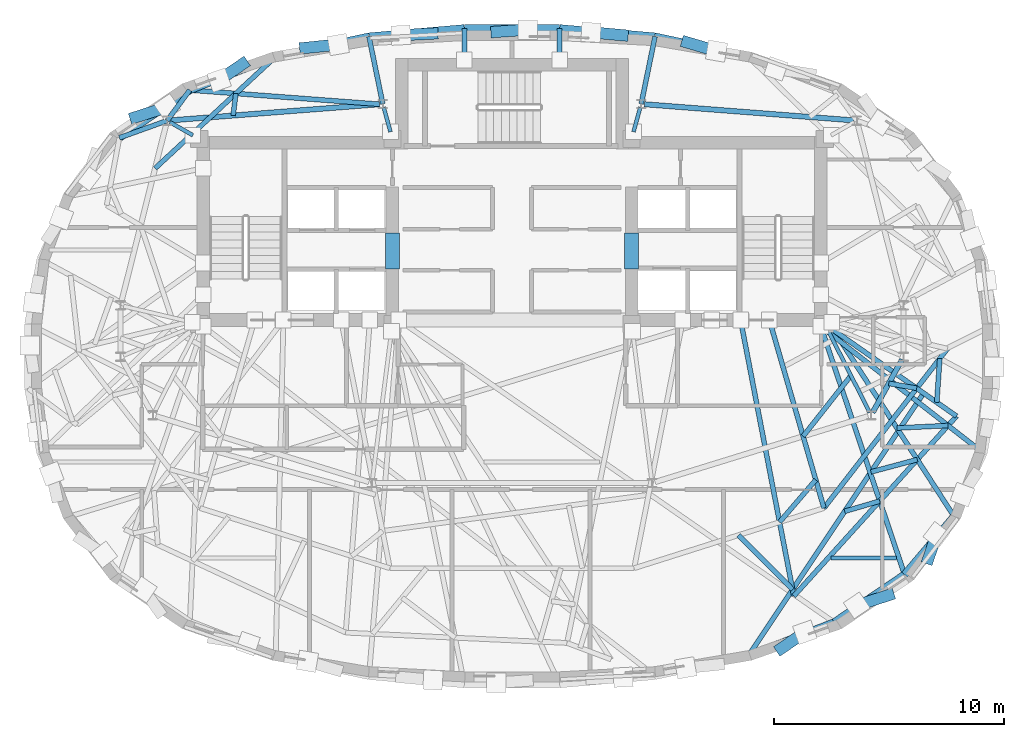
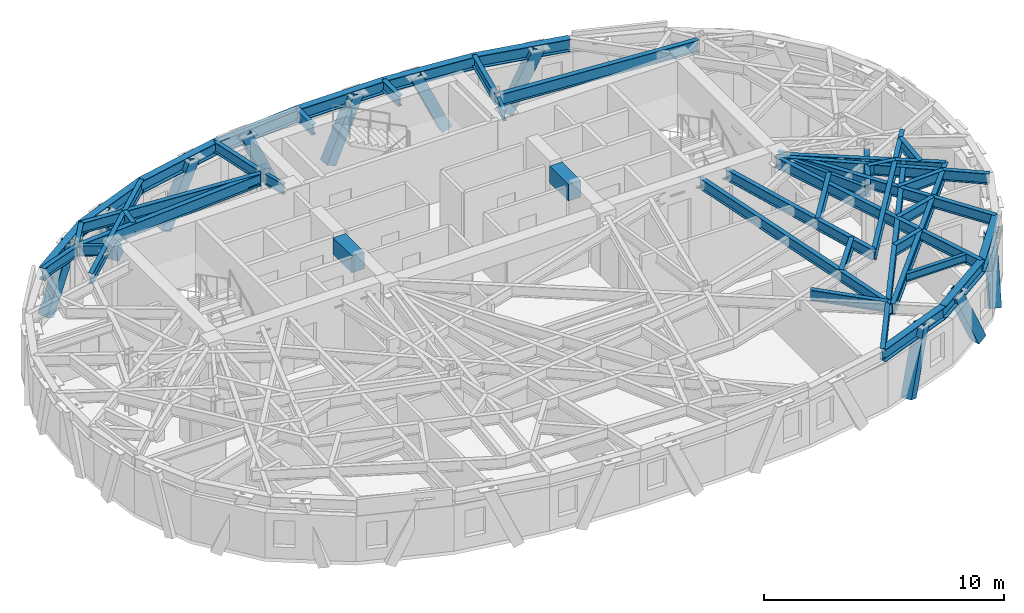
# One storey, part 3 of 12: 46 beams, 10 members.
"""IFC4 building model written with IfcOpenShell, lengths in metres."""

from ifc_helpers import new_model, si_unit, direction, frame, origin, origin_2d, place, context, subcontext, project, spatial, rectangle, hollow_rectangle, i_section, extrude, material, material_profile, profile_set, type_object, element, save


model = new_model("IFC4")

# Units and contexts
model_context = context("Model", 3, precision=1e-05, world=origin(), true_north=direction((0.0, 1.0)))
body_context = subcontext(model_context, "Body", "Model", "MODEL_VIEW")
ifc_project = project(units=[si_unit("LENGTHUNIT", "METRE"), si_unit("AREAUNIT", "SQUARE_METRE"), si_unit("VOLUMEUNIT", "CUBIC_METRE"), si_unit("PLANEANGLEUNIT", "RADIAN"), si_unit("MASSUNIT", "GRAM", prefix="KILO")], contexts=[model_context])

# Site, building, storey
site_placement = place(None, origin())
site = spatial("IfcSite", under=ifc_project, at=site_placement, CompositionType="ELEMENT")
building_placement = place(site_placement, origin())
building = spatial("IfcBuilding", under=site, at=building_placement, Name="Keldmark Tower", CompositionType="ELEMENT")
storey_placement = place(building_placement, frame((0.0, 0.0, 257.25)))
storey = spatial("IfcBuildingStorey", under=building, at=storey_placement, Name="L73", CompositionType="ELEMENT", Elevation=257.25)

# Beams
ifc_material_1 = material(Name="Steel ASTM A992 Grade 50", Category="steel")
ifc_material_profile_1 = material_profile(ifc_material_1, i_section(OverallWidth=0.177978515625, OverallDepth=0.403076171875, WebThickness=0.007568359375, FlangeThickness=0.010986328125, at=origin_2d()), Name="W16X36")
ifc_profile_set_1 = profile_set([ifc_material_profile_1], Name="Steel ASTM A992 Grade 50")
beam_type_1 = type_object("IfcBeamType", Name="Composite Floor Joist W16X36", PredefinedType="JOIST", material=ifc_profile_set_1)
beam_1_placement = place(storey_placement, frame((13.876953125, -8.780029296875, 2.728515625), z_axis=(1.0, 0.0, 0.0), x_axis=(0.0, 1.0, 0.0)))
element("IfcBeam", 1, at=beam_1_placement, inside=storey, type_object=beam_type_1, Name="L73 Composite Floor Joist J02", PredefinedType="JOIST", context=body_context, shape_type="SweptSolid", body=[
    extrude(i_section(OverallWidth=0.177978515625, OverallDepth=0.403076171875, WebThickness=0.007568359375, FlangeThickness=0.010986328125, at=origin_2d()), origin(), (0.0, 0.0, 1.0), 2.8505859375),
])
ifc_material_2 = material(Name="Concrete C50/60", Category="concrete")
ifc_material_profile_2 = material_profile(ifc_material_2, rectangle(XDim=0.60009765625, YDim=0.85009765625, at=origin_2d()), Name="RCB600X850")
ifc_profile_set_2 = profile_set([ifc_material_profile_2], Name="Concrete C50/60")
beam_type_2 = type_object("IfcBeamType", Name="Core Coupling Beam RCB600X850", PredefinedType="USERDEFINED", material=ifc_profile_set_2)
for number, where, z_axis, x_axis, name in (
    (2, (-5.199951171875, 3.800048828125, 2.5048828125), (0.0, 1.0, 0.0), (-1.0, 0.0, 0.0), "L73 West Core Coupling Beam"),
    (3, (5.199951171875, 3.800048828125, 2.5048828125), (0.0, 1.0, 0.0), (-1.0, 0.0, 0.0), "L73 East Core Coupling Beam"),
):
    element("IfcBeam", number, at=place(storey_placement, frame(where, z_axis=z_axis, x_axis=x_axis)), inside=storey, type_object=beam_type_2, Name=name, ObjectType="COUPLING BEAM", PredefinedType="USERDEFINED", context=body_context, shape_type="SweptSolid", body=[
        extrude(rectangle(XDim=0.60009765625, YDim=0.85009765625, at=origin_2d()), origin(), (0.0, 0.0, 1.0), 1.550048828125),
    ])

# Members
ifc_material_3 = material(Name="Steel ASTM A572 Grade 50", Category="steel")
ifc_material_profile_3 = material_profile(ifc_material_3, hollow_rectangle(XDim=0.5, YDim=0.5, WallThickness=0.030029296875, at=origin_2d()), Name="BOX500X500X30")
ifc_profile_set_3 = profile_set([ifc_material_profile_3], Name="Steel ASTM A572 Grade 50")
member_type = type_object("IfcMemberType", Name="Diagrid Upper Brace BOX500X500X30", PredefinedType="BRACE", material=ifc_profile_set_3)
member_1_placement = place(storey_placement, frame((7.6044921875, 13.647705078125, -0.260009765625), z_axis=(0.384823610451, -0.113487636775, 0.915986542007), x_axis=(0.282864141081, 0.959159985451, 0.0)))
element("IfcMember", 4, at=member_1_placement, inside=storey, type_object=member_type, Name="L73 Perimeter Diagrid Brace 03B", PredefinedType="BRACE", context=body_context, shape_type="SweptSolid", body=[
    extrude(hollow_rectangle(XDim=0.5, YDim=0.5, WallThickness=0.030029296875, at=origin_2d()), origin(), (0.0, 0.0, 1.0), 3.3515625),
])
member_2_placement = place(storey_placement, frame((4.826416015625, 13.95703125, -0.260009765625), z_axis=(-0.412084607892, 0.036994946351, 0.91039422773), x_axis=(-0.089415520641, -0.995994409958, 0.0)))
element("IfcMember", 5, at=member_2_placement, inside=storey, type_object=member_type, Name="L73 Perimeter Diagrid Brace 04A", PredefinedType="BRACE", context=body_context, shape_type="SweptSolid", body=[
    extrude(hollow_rectangle(XDim=0.5, YDim=0.5, WallThickness=0.030029296875, at=origin_2d()), origin(), (0.0, 0.0, 1.0), 3.372314453125),
])
member_3_placement = place(storey_placement, frame((-0.69189453125, 14.104736328125, -0.260009765625), z_axis=(0.408950106627, 0.02814342699, 0.912122665987), x_axis=(-0.06865634326, 0.997640369337, 0.0)))
element("IfcMember", 6, at=member_3_placement, inside=storey, type_object=member_type, Name="L73 Perimeter Diagrid Brace 04B", PredefinedType="BRACE", context=body_context, shape_type="SweptSolid", body=[
    extrude(hollow_rectangle(XDim=0.5, YDim=0.5, WallThickness=0.030029296875, at=origin_2d()), origin(), (0.0, 0.0, 1.0), 3.365966796875),
])
member_4_placement = place(storey_placement, frame((-3.44482421875, 14.02978515625, -0.260009765625), z_axis=(-0.411374761638, -0.020869461221, 0.911227343244), x_axis=(0.050665864044, -0.998715660346, 0.0)))
element("IfcMember", 7, at=member_4_placement, inside=storey, type_object=member_type, Name="L73 Perimeter Diagrid Brace 05A", PredefinedType="BRACE", context=body_context, shape_type="SweptSolid", body=[
    extrude(hollow_rectangle(XDim=0.5, YDim=0.5, WallThickness=0.030029296875, at=origin_2d()), origin(), (0.0, 0.0, 1.0), 3.369140625),
])
member_5_placement = place(storey_placement, frame((-9.011474609375, 13.404296875, -0.260009765625), z_axis=(0.428526406073, 0.043491375327, 0.902481922018), x_axis=(-0.100971848205, 0.994889283222, 0.0)))
element("IfcMember", 8, at=member_5_placement, inside=storey, type_object=member_type, Name="L73 Perimeter Diagrid Brace 05B", PredefinedType="BRACE", context=body_context, shape_type="SweptSolid", body=[
    extrude(hollow_rectangle(XDim=0.5, YDim=0.5, WallThickness=0.030029296875, at=origin_2d()), origin(), (0.0, 0.0, 1.0), 3.40185546875),
])
member_6_placement = place(storey_placement, frame((-11.7021484375, 12.711669921875, -0.260009765625), z_axis=(-0.312053766719, -0.21279740109, 0.925926407856), x_axis=(0.563397314495, -0.826186096482, 0.0)))
element("IfcMember", 9, at=member_6_placement, inside=storey, type_object=member_type, Name="L73 Perimeter Diagrid Brace 06A", PredefinedType="BRACE", context=body_context, shape_type="SweptSolid", body=[
    extrude(hollow_rectangle(XDim=0.5, YDim=0.5, WallThickness=0.030029296875, at=origin_2d()), origin(), (0.0, 0.0, 1.0), 3.315673828125),
])
member_7_placement = place(storey_placement, frame((-16.392578125, 10.38525390625, -0.260009765625), z_axis=(0.411247075748, 0.132181437148, 0.901889078747), x_axis=(-0.30599843145, 0.952032016242, 0.0)))
element("IfcMember", 10, at=member_7_placement, inside=storey, type_object=member_type, Name="L73 Perimeter Diagrid Brace 06B", PredefinedType="BRACE", context=body_context, shape_type="SweptSolid", body=[
    extrude(hollow_rectangle(XDim=0.5, YDim=0.5, WallThickness=0.030029296875, at=origin_2d()), origin(), (0.0, 0.0, 1.0), 3.404052734375),
])
member_8_placement = place(storey_placement, frame((11.7021484375, -12.711669921875, -0.260009765625), z_axis=(0.312053766719, 0.21279740109, 0.925926407856), x_axis=(-0.563397314495, 0.826186096482, 0.0)))
element("IfcMember", 11, at=member_8_placement, inside=storey, type_object=member_type, Name="L73 Perimeter Diagrid Brace 14A", PredefinedType="BRACE", context=body_context, shape_type="SweptSolid", body=[
    extrude(hollow_rectangle(XDim=0.5, YDim=0.5, WallThickness=0.030029296875, at=origin_2d()), origin(), (0.0, 0.0, 1.0), 3.315673828125),
])
member_9_placement = place(storey_placement, frame((16.392578125, -10.38525390625, -0.260009765625), z_axis=(-0.411247075748, -0.132181437148, 0.901889078747), x_axis=(0.30599843145, -0.952032016242, 0.0)))
element("IfcMember", 12, at=member_9_placement, inside=storey, type_object=member_type, Name="L73 Perimeter Diagrid Brace 14B", PredefinedType="BRACE", context=body_context, shape_type="SweptSolid", body=[
    extrude(hollow_rectangle(XDim=0.5, YDim=0.5, WallThickness=0.030029296875, at=origin_2d()), origin(), (0.0, 0.0, 1.0), 3.404052734375),
])
member_10_placement = place(storey_placement, frame((18.10498046875, -8.800048828125, -0.260009765625), z_axis=(0.108536723728, 0.315865852065, 0.942575484034), x_axis=(-0.945725401367, 0.324966867864, 0.0)))
element("IfcMember", 13, at=member_10_placement, inside=storey, type_object=member_type, Name="L73 Perimeter Diagrid Brace 15A", PredefinedType="BRACE", context=body_context, shape_type="SweptSolid", body=[
    extrude(hollow_rectangle(XDim=0.5, YDim=0.5, WallThickness=0.030029296875, at=origin_2d()), origin(), (0.0, 0.0, 1.0), 3.257080078125),
])

# Beams
ifc_material_4 = material(Name="Steel ASTM A992 Grade 50", Category="steel")
ifc_material_profile_4 = material_profile(ifc_material_4, i_section(OverallWidth=0.22802734375, OverallDepth=0.60302734375, WebThickness=0.010498046875, FlangeThickness=0.014892578125, at=origin_2d()), Name="W24X68")
ifc_profile_set_4 = profile_set([ifc_material_profile_4], Name="Steel ASTM A992 Grade 50")
beam_type_3 = type_object("IfcBeamType", Name="Primary Floor Girder W24X68", PredefinedType="BEAM", material=ifc_profile_set_4)
for number, where, z_axis, x_axis, name in (
    (14, (14.856201171875, 10.25439453125, 2.62841796875), (-0.997037147832, 0.076921556421, 0.0), (-0.076921556421, -0.997037147832, 0.0), "L73 Floor Ring Girder FG-R02"),
    (15, (-5.75830078125, 10.956298828125, 2.62841796875), (-0.997037147832, -0.076921556421, 0.0), (0.076921556421, -0.997037147832, 0.0), "L73 Floor Ring Girder FG-R04"),
):
    element("IfcBeam", number, at=place(storey_placement, frame(where, z_axis=z_axis, x_axis=x_axis)), inside=storey, type_object=beam_type_3, Name=name, PredefinedType="BEAM", context=body_context, shape_type="SweptSolid", body=[
        extrude(i_section(OverallWidth=0.22802734375, OverallDepth=0.60302734375, WebThickness=0.010498046875, FlangeThickness=0.014892578125, at=origin_2d()), origin(), (0.0, 0.0, 1.0), 9.125),
    ])
beam_2_placement = place(storey_placement, frame((15.68408203125, -2.44482421875, 2.62841796875), z_axis=(0.484719680408, 0.874669555561, 0.0), x_axis=(-0.874669555561, 0.484719680408, 0.0)))
element("IfcBeam", 16, at=beam_2_placement, inside=storey, type_object=beam_type_3, Name="L73 Floor Ring Girder FG-R11", PredefinedType="BEAM", context=body_context, shape_type="SweptSolid", body=[
    extrude(i_section(OverallWidth=0.22802734375, OverallDepth=0.60302734375, WebThickness=0.010498046875, FlangeThickness=0.014892578125, at=origin_2d()), origin(), (0.0, 0.0, 1.0), 2.627685546875),
])
ifc_material_5 = material(Name="Steel ASTM A992 Grade 50", Category="steel")
ifc_material_profile_5 = material_profile(ifc_material_5, i_section(OverallWidth=0.166015625, OverallDepth=0.529052734375, WebThickness=0.009765625, FlangeThickness=0.013671875, at=origin_2d()), Name="W21X50")
ifc_profile_set_5 = profile_set([ifc_material_profile_5], Name="Steel ASTM A992 Grade 50")
beam_type_4 = type_object("IfcBeamType", Name="Radial Tie Girder W21X50", PredefinedType="BEAM", material=ifc_profile_set_5)
for number, where, z_axis, x_axis, name in (
    (17, (5.581298828125, 10.83203125, 2.66552734375), (-0.265936023434, -0.963990680163, 0.0), (0.963990680163, -0.265936023434, 0.0), "L73 Floor Radial Girder FG-C03"),
    (18, (-5.581298828125, 10.83203125, 2.66552734375), (0.265936023434, -0.963990680163, 0.0), (0.963990680163, 0.265936023434, 0.0), "L73 Floor Radial Girder FG-C04"),
):
    element("IfcBeam", number, at=place(storey_placement, frame(where, z_axis=z_axis, x_axis=x_axis)), inside=storey, type_object=beam_type_4, Name=name, PredefinedType="BEAM", context=body_context, shape_type="SweptSolid", body=[
        extrude(i_section(OverallWidth=0.166015625, OverallDepth=0.529052734375, WebThickness=0.009765625, FlangeThickness=0.013671875, at=origin_2d()), origin(), (0.0, 0.0, 1.0), 1.113525390625),
    ])
beam_3_placement = place(storey_placement, frame((-14.8740234375, 10.174560546875, 2.66552734375), z_axis=(0.869238046195, -0.494393789451, 0.0), x_axis=(0.494393789451, 0.869238046195, 0.0)))
element("IfcBeam", 19, at=beam_3_placement, inside=storey, type_object=beam_type_4, Name="L73 Floor Radial Girder FG-C05", PredefinedType="BEAM", context=body_context, shape_type="SweptSolid", body=[
    extrude(i_section(OverallWidth=0.166015625, OverallDepth=0.529052734375, WebThickness=0.009765625, FlangeThickness=0.013671875, at=origin_2d()), origin(), (0.0, 0.0, 1.0), 1.145751953125),
])
beam_4_placement = place(storey_placement, frame((15.552734375, -2.442626953125, 2.66552734375), z_axis=(-0.453004410574, 0.89150827478, 0.0), x_axis=(-0.89150827478, -0.453004410574, 0.0)))
element("IfcBeam", 20, at=beam_4_placement, inside=storey, type_object=beam_type_4, Name="L73 Floor Radial Girder FG-C11", PredefinedType="BEAM", context=body_context, shape_type="SweptSolid", body=[
    extrude(i_section(OverallWidth=0.166015625, OverallDepth=0.529052734375, WebThickness=0.009765625, FlangeThickness=0.013671875, at=origin_2d()), origin(), (0.0, 0.0, 1.0), 3.990234375),
])
ifc_material_6 = material(Name="Steel ASTM A992 Grade 50", Category="steel")
ifc_material_profile_6 = material_profile(ifc_material_6, i_section(OverallWidth=0.2099609375, OverallDepth=0.537109375, WebThickness=0.010986328125, FlangeThickness=0.017333984375, at=origin_2d()), Name="W21X68")
ifc_profile_set_6 = profile_set([ifc_material_profile_6], Name="Steel ASTM A992 Grade 50")
beam_type_5 = type_object("IfcBeamType", Name="Radial Tie Girder W21X68", PredefinedType="BEAM", material=ifc_profile_set_6)
for number, where, z_axis, x_axis, name in (
    (21, (2.071533203125, 12.8798828125, 2.66162109375), (0.0, 1.0, 0.0), (-1.0, 0.0, 0.0), "L73 North Core Wall Bracket RT-08N"),
    (22, (-2.071533203125, 12.8798828125, 2.66162109375), (0.0, 1.0, 0.0), (-1.0, 0.0, 0.0), "L73 North Core Wall Bracket RT-09N"),
):
    element("IfcBeam", number, at=place(storey_placement, frame(where, z_axis=z_axis, x_axis=x_axis)), inside=storey, type_object=beam_type_5, Name=name, PredefinedType="BEAM", context=body_context, shape_type="SweptSolid", body=[
        extrude(i_section(OverallWidth=0.2099609375, OverallDepth=0.537109375, WebThickness=0.010986328125, FlangeThickness=0.017333984375, at=origin_2d()), origin(), (0.0, 0.0, 1.0), 1.37939453125),
    ])
beam_5_placement = place(storey_placement, frame((14.7392578125, -0.841796875, 2.66162109375), z_axis=(-0.618847775793, -0.785510935886, 0.0), x_axis=(0.785510935886, -0.618847775793, 0.0)))
element("IfcBeam", 23, at=beam_5_placement, inside=storey, type_object=beam_type_5, Name="L73 Framing Pin Header PH-005", PredefinedType="BEAM", context=body_context, shape_type="SweptSolid", body=[
    extrude(i_section(OverallWidth=0.2099609375, OverallDepth=0.537109375, WebThickness=0.010986328125, FlangeThickness=0.017333984375, at=origin_2d()), origin(), (0.0, 0.0, 1.0), 3.3603515625),
])
beam_6_placement = place(storey_placement, frame((11.19287109375, 1.574951171875, 2.66162109375), z_axis=(0.278592681505, -0.960409349086, 0.0), x_axis=(0.960409349086, 0.278592681505, 0.0)))
element("IfcBeam", 24, at=beam_6_placement, inside=storey, type_object=beam_type_5, Name="L73 Sub-Ring Step Girder STP1-M11", PredefinedType="BEAM", context=body_context, shape_type="SweptSolid", body=[
    extrude(i_section(OverallWidth=0.2099609375, OverallDepth=0.537109375, WebThickness=0.010986328125, FlangeThickness=0.017333984375, at=origin_2d()), origin(), (0.0, 0.0, 1.0), 8.515380859375),
])
beam_7_placement = place(storey_placement, frame((13.565185546875, -6.603271484375, 2.66162109375), z_axis=(0.612395045292, 0.790551901207, 0.0), x_axis=(-0.790551901207, 0.612395045292, 0.0)))
element("IfcBeam", 25, at=beam_7_placement, inside=storey, type_object=beam_type_5, Name="L73 Perimeter Collector Ring Beam CRG1-M11", PredefinedType="BEAM", context=body_context, shape_type="SweptSolid", body=[
    extrude(i_section(OverallWidth=0.2099609375, OverallDepth=0.537109375, WebThickness=0.010986328125, FlangeThickness=0.017333984375, at=origin_2d()), origin(), (0.0, 0.0, 1.0), 8.766357421875),
])
beam_8_placement = place(storey_placement, frame((13.20947265625, -5.376708984375, 2.66162109375), z_axis=(-0.650533811668, -0.759477293852, 0.0), x_axis=(0.759477293852, -0.650533811668, 0.0)))
element("IfcBeam", 26, at=beam_8_placement, inside=storey, type_object=beam_type_5, Name="L73 Framing Pin Header PH-010", PredefinedType="BEAM", context=body_context, shape_type="SweptSolid", body=[
    extrude(i_section(OverallWidth=0.2099609375, OverallDepth=0.537109375, WebThickness=0.010986328125, FlangeThickness=0.017333984375, at=origin_2d()), origin(), (0.0, 0.0, 1.0), 2.420166015625),
])
beam_9_placement = place(storey_placement, frame((9.939208984375, 1.574951171875, 2.66162109375), z_axis=(0.189436268777, -0.981893018649, 0.0), x_axis=(0.981893018649, 0.189436268777, 0.0)))
element("IfcBeam", 27, at=beam_9_placement, inside=storey, type_object=beam_type_5, Name="L73 Sub-Ring Step Girder STP2-M11", PredefinedType="BEAM", context=body_context, shape_type="SweptSolid", body=[
    extrude(i_section(OverallWidth=0.2099609375, OverallDepth=0.537109375, WebThickness=0.010986328125, FlangeThickness=0.017333984375, at=origin_2d()), origin(), (0.0, 0.0, 1.0), 12.22412109375),
])
beam_10_placement = place(storey_placement, frame((16.384521484375, -1.180908203125, 2.66162109375), z_axis=(0.984673751906, -0.174406428514, 0.0), x_axis=(0.174406428514, 0.984673751906, 0.0)))
element("IfcBeam", 28, at=beam_10_placement, inside=storey, type_object=beam_type_5, Name="L73 Framing Pin Header PH-011", PredefinedType="BEAM", context=body_context, shape_type="SweptSolid", body=[
    extrude(i_section(OverallWidth=0.2099609375, OverallDepth=0.537109375, WebThickness=0.010986328125, FlangeThickness=0.017333984375, at=origin_2d()), origin(), (0.0, 0.0, 1.0), 1.233154296875),
])
beam_11_placement = place(storey_placement, frame((13.60009765625, 1.39990234375, 2.66162109375), z_axis=(0.819528694133, -0.573038148375, 0.0), x_axis=(0.573038148375, 0.819528694133, 0.0)))
element("IfcBeam", 29, at=beam_11_placement, inside=storey, type_object=beam_type_5, Name="L73 Sub-Ring Step Girder STP2-M12", PredefinedType="BEAM", context=body_context, shape_type="SweptSolid", body=[
    extrude(i_section(OverallWidth=0.2099609375, OverallDepth=0.537109375, WebThickness=0.010986328125, FlangeThickness=0.017333984375, at=origin_2d()), origin(), (0.0, 0.0, 1.0), 6.99267578125),
])
beam_12_placement = place(storey_placement, frame((12.2548828125, -10.427734375, 2.66162109375), z_axis=(0.670923022182, 0.741527004435, 0.0), x_axis=(-0.741527004435, 0.670923022182, 0.0)))
element("IfcBeam", 30, at=beam_12_placement, inside=storey, type_object=beam_type_5, Name="L73 Perimeter Collector Ring Beam CRG2-M11", PredefinedType="BEAM", context=body_context, shape_type="SweptSolid", body=[
    extrude(i_section(OverallWidth=0.2099609375, OverallDepth=0.537109375, WebThickness=0.010986328125, FlangeThickness=0.017333984375, at=origin_2d()), origin(), (0.0, 0.0, 1.0), 10.546630859375),
])
for number, where, z_axis, x_axis, name in (
    (31, (5.61865234375, 10.967041015625, 2.66162109375), (0.200741426183, 0.97964426187, 0.0), (-0.97964426187, 0.200741426183, 0.0), "L73 Perimeter Column Bracket RT-07"),
    (32, (-5.61865234375, 10.967041015625, 2.66162109375), (-0.200741426183, 0.97964426187, 0.0), (-0.97964426187, -0.200741426183, 0.0), "L73 Perimeter Column Bracket RT-10"),
):
    element("IfcBeam", number, at=place(storey_placement, frame(where, z_axis=z_axis, x_axis=x_axis)), inside=storey, type_object=beam_type_5, Name=name, PredefinedType="BEAM", context=body_context, shape_type="SweptSolid", body=[
        extrude(i_section(OverallWidth=0.2099609375, OverallDepth=0.537109375, WebThickness=0.010986328125, FlangeThickness=0.017333984375, at=origin_2d()), origin(), (0.0, 0.0, 1.0), 2.9931640625),
    ])
beam_13_placement = place(storey_placement, frame((-14.995849609375, 10.24365234375, 2.66162109375), z_axis=(0.595410994043, 0.803421276898, 0.0), x_axis=(-0.803421276898, 0.595410994043, 0.0)))
element("IfcBeam", 33, at=beam_13_placement, inside=storey, type_object=beam_type_5, Name="L73 Perimeter Column Bracket RT-12", PredefinedType="BEAM", context=body_context, shape_type="SweptSolid", body=[
    extrude(i_section(OverallWidth=0.2099609375, OverallDepth=0.537109375, WebThickness=0.010986328125, FlangeThickness=0.017333984375, at=origin_2d()), origin(), (0.0, 0.0, 1.0), 1.655029296875),
])
beam_14_placement = place(storey_placement, frame((-14.995849609375, 10.24365234375, 2.66162109375), z_axis=(-0.941136898185, -0.338025648249, 0.0), x_axis=(0.338025648249, -0.941136898185, 0.0)))
element("IfcBeam", 34, at=beam_14_placement, inside=storey, type_object=beam_type_5, Name="L73 Perimeter Column Bracket RT-13", PredefinedType="BEAM", context=body_context, shape_type="SweptSolid", body=[
    extrude(i_section(OverallWidth=0.2099609375, OverallDepth=0.537109375, WebThickness=0.010986328125, FlangeThickness=0.017333984375, at=origin_2d()), origin(), (0.0, 0.0, 1.0), 2.205810546875),
])
beam_15_placement = place(storey_placement, frame((9.850830078125, -7.780029296875, 2.66162109375), z_axis=(0.704869176302, -0.709337327581, 0.0), x_axis=(0.709337327581, 0.704869176302, 0.0)))
element("IfcBeam", 35, at=beam_15_placement, inside=storey, type_object=beam_type_5, Name="L73 Framing Pin Header PH-031", PredefinedType="BEAM", context=body_context, shape_type="SweptSolid", body=[
    extrude(i_section(OverallWidth=0.2099609375, OverallDepth=0.537109375, WebThickness=0.010986328125, FlangeThickness=0.017333984375, at=origin_2d()), origin(), (0.0, 0.0, 1.0), 3.3330078125),
])
beam_16_placement = place(storey_placement, frame((17.898193359375, -1.605224609375, 2.66162109375), z_axis=(-0.555052895997, -0.831815053149, 0.0), x_axis=(0.831815053149, -0.555052895997, 0.0)))
element("IfcBeam", 36, at=beam_16_placement, inside=storey, type_object=beam_type_5, Name="L73 Perimeter Radial Tie Girder RT-27", PredefinedType="BEAM", context=body_context, shape_type="SweptSolid", body=[
    extrude(i_section(OverallWidth=0.2099609375, OverallDepth=0.537109375, WebThickness=0.010986328125, FlangeThickness=0.017333984375, at=origin_2d()), origin(), (0.0, 0.0, 1.0), 13.735595703125),
])
beam_17_placement = place(storey_placement, frame((14.46728515625, -6.74658203125, 2.66162109375), z_axis=(0.9593606067, 0.282182966021, 0.0), x_axis=(-0.282182966021, 0.9593606067, 0.0)))
element("IfcBeam", 37, at=beam_17_placement, inside=storey, type_object=beam_type_5, Name="L73 Framing Pin Header PH-032", PredefinedType="BEAM", context=body_context, shape_type="SweptSolid", body=[
    extrude(i_section(OverallWidth=0.2099609375, OverallDepth=0.537109375, WebThickness=0.010986328125, FlangeThickness=0.017333984375, at=origin_2d()), origin(), (0.0, 0.0, 1.0), 1.58837890625),
])
beam_18_placement = place(storey_placement, frame((13.425048828125, 1.300048828125, 2.66162109375), z_axis=(0.319965414365, -0.947429223536, 0.0), x_axis=(0.947429223536, 0.319965414365, 0.0)))
element("IfcBeam", 38, at=beam_18_placement, inside=storey, type_object=beam_type_5, Name="L73 Perimeter Radial Tie Girder RT-29", PredefinedType="BEAM", context=body_context, shape_type="SweptSolid", body=[
    extrude(i_section(OverallWidth=0.2099609375, OverallDepth=0.537109375, WebThickness=0.010986328125, FlangeThickness=0.017333984375, at=origin_2d()), origin(), (0.0, 0.0, 1.0), 11.397216796875),
])
beam_19_placement = place(storey_placement, frame((15.61083984375, -5.032958984375, 2.66162109375), z_axis=(0.965962167506, 0.258683379727, 0.0), x_axis=(-0.258683379727, 0.965962167506, 0.0)))
element("IfcBeam", 39, at=beam_19_placement, inside=storey, type_object=beam_type_5, Name="L73 Framing Pin Header PH-033", PredefinedType="BEAM", context=body_context, shape_type="SweptSolid", body=[
    extrude(i_section(OverallWidth=0.2099609375, OverallDepth=0.537109375, WebThickness=0.010986328125, FlangeThickness=0.017333984375, at=origin_2d()), origin(), (0.0, 0.0, 1.0), 2.083984375),
])
beam_20_placement = place(storey_placement, frame((13.699951171875, 1.574951171875, 2.66162109375), z_axis=(0.542944653657, -0.839768481824, 0.0), x_axis=(0.839768481824, 0.542944653657, 0.0)))
element("IfcBeam", 40, at=beam_20_placement, inside=storey, type_object=beam_type_5, Name="L73 Perimeter Radial Tie Girder RT-30", PredefinedType="BEAM", context=body_context, shape_type="SweptSolid", body=[
    extrude(i_section(OverallWidth=0.2099609375, OverallDepth=0.537109375, WebThickness=0.010986328125, FlangeThickness=0.017333984375, at=origin_2d()), origin(), (0.0, 0.0, 1.0), 10.16943359375),
])
beam_21_placement = place(storey_placement, frame((16.73681640625, -3.1220703125, 2.66162109375), z_axis=(0.998846708755, 0.048013044165, 0.0), x_axis=(-0.048013044165, 0.998846708755, 0.0)))
element("IfcBeam", 41, at=beam_21_placement, inside=storey, type_object=beam_type_5, Name="L73 Framing Pin Header PH-034", PredefinedType="BEAM", context=body_context, shape_type="SweptSolid", body=[
    extrude(i_section(OverallWidth=0.2099609375, OverallDepth=0.537109375, WebThickness=0.010986328125, FlangeThickness=0.017333984375, at=origin_2d()), origin(), (0.0, 0.0, 1.0), 2.227294921875),
])
beam_22_placement = place(storey_placement, frame((13.425048828125, 1.300048828125, 2.66162109375), z_axis=(0.788718909099, -0.614754001556, 0.0), x_axis=(0.614754001556, 0.788718909099, 0.0)))
element("IfcBeam", 42, at=beam_22_placement, inside=storey, type_object=beam_type_5, Name="L73 Perimeter Radial Tie Girder RT-31", PredefinedType="BEAM", context=body_context, shape_type="SweptSolid", body=[
    extrude(i_section(OverallWidth=0.2099609375, OverallDepth=0.537109375, WebThickness=0.010986328125, FlangeThickness=0.017333984375, at=origin_2d()), origin(), (0.0, 0.0, 1.0), 8.973388671875),
])
beam_23_placement = place(storey_placement, frame((18.47119140625, -2.006103515625, 2.66162109375), z_axis=(0.068648534966, 0.997640906663, 0.0), x_axis=(-0.997640906663, 0.068648534966, 0.0)))
element("IfcBeam", 43, at=beam_23_placement, inside=storey, type_object=beam_type_5, Name="L73 Framing Pin Header PH-035", PredefinedType="BEAM", context=body_context, shape_type="SweptSolid", body=[
    extrude(i_section(OverallWidth=0.2099609375, OverallDepth=0.537109375, WebThickness=0.010986328125, FlangeThickness=0.017333984375, at=origin_2d()), origin(), (0.0, 0.0, 1.0), 1.90966796875),
])
beam_24_placement = place(storey_placement, frame((-5.75830078125, 10.956298828125, 2.66162109375), z_axis=(-0.997217049312, 0.074553045283, 0.0), x_axis=(-0.074553045283, -0.997217049312, 0.0)))
element("IfcBeam", 44, at=beam_24_placement, inside=storey, type_object=beam_type_5, Name="L73 Straddling Support Chord RT-11RB", PredefinedType="BEAM", context=body_context, shape_type="SweptSolid", body=[
    extrude(i_section(OverallWidth=0.2099609375, OverallDepth=0.537109375, WebThickness=0.010986328125, FlangeThickness=0.017333984375, at=origin_2d()), origin(), (0.0, 0.0, 1.0), 8.275146484375),
])
beam_25_placement = place(storey_placement, frame((-12.126708984375, 10.465087890625, 2.66162109375), z_axis=(0.123350289857, 0.992363192582, 0.0), x_axis=(-0.992363192582, 0.123350289857, 0.0)))
element("IfcBeam", 45, at=beam_25_placement, inside=storey, type_object=beam_type_5, Name="L73 Framing Pin Header PH-036", PredefinedType="BEAM", context=body_context, shape_type="SweptSolid", body=[
    extrude(i_section(OverallWidth=0.2099609375, OverallDepth=0.537109375, WebThickness=0.010986328125, FlangeThickness=0.017333984375, at=origin_2d()), origin(), (0.0, 0.0, 1.0), 0.9658203125),
])
beam_26_placement = place(storey_placement, frame((-15.5205078125, 8.1669921875, 2.66162109375), z_axis=(0.73333899546, 0.679863161039, 0.0), x_axis=(-0.679863161039, 0.73333899546, 0.0)))
element("IfcBeam", 46, at=beam_26_placement, inside=storey, type_object=beam_type_5, Name="L73 Perimeter Radial Tie Girder RT-11R", PredefinedType="BEAM", context=body_context, shape_type="SweptSolid", body=[
    extrude(i_section(OverallWidth=0.2099609375, OverallDepth=0.537109375, WebThickness=0.010986328125, FlangeThickness=0.017333984375, at=origin_2d()), origin(), (0.0, 0.0, 1.0), 7.154052734375),
])
ifc_material_7 = material(Name="Steel ASTM A992 Grade 50", Category="steel")
ifc_material_profile_7 = material_profile(ifc_material_7, i_section(OverallWidth=0.326904296875, OverallDepth=0.6220703125, WebThickness=0.015380859375, FlangeThickness=0.0244140625, at=origin_2d()), Name="W24X131")
ifc_profile_set_7 = profile_set([ifc_material_profile_7], Name="Steel ASTM A992 Grade 50")
beam_type_6 = type_object("IfcBeamType", Name="Spandrel Ring Beam W24X131", PredefinedType="SPANDREL", material=ifc_profile_set_7)
beam_27_placement = place(storey_placement, frame((10.274169921875, 13.03076171875, 2.618896484375), z_axis=(-0.977824810368, 0.209424545429, 0.0), x_axis=(-0.209424545429, -0.977824810368, 0.0)))
element("IfcBeam", 47, at=beam_27_placement, inside=storey, type_object=beam_type_6, Name="L73 Perimeter Spandrel Ring Beam SRB-06", PredefinedType="SPANDREL", context=body_context, shape_type="SweptSolid", body=[
    extrude(i_section(OverallWidth=0.326904296875, OverallDepth=0.6220703125, WebThickness=0.015380859375, FlangeThickness=0.0244140625, at=origin_2d()), origin(), (0.0, 0.0, 1.0), 4.146728515625),
])
beam_28_placement = place(storey_placement, frame((6.219482421875, 13.899169921875, 2.618896484375), z_axis=(-0.996252680042, 0.086490447502, 0.0), x_axis=(-0.086490447502, -0.996252680042, 0.0)))
element("IfcBeam", 48, at=beam_28_placement, inside=storey, type_object=beam_type_6, Name="L73 Perimeter Spandrel Ring Beam SRB-07", PredefinedType="SPANDREL", context=body_context, shape_type="SweptSolid", body=[
    extrude(i_section(OverallWidth=0.326904296875, OverallDepth=0.6220703125, WebThickness=0.015380859375, FlangeThickness=0.0244140625, at=origin_2d()), origin(), (0.0, 0.0, 1.0), 4.16357421875),
])
beam_29_placement = place(storey_placement, frame((2.071533203125, 14.25927734375, 2.618896484375), z_axis=(-1.0, 0.0, 0.0), x_axis=(0.0, -1.0, 0.0)))
element("IfcBeam", 49, at=beam_29_placement, inside=storey, type_object=beam_type_6, Name="L73 Perimeter Spandrel Ring Beam SRB-08", PredefinedType="SPANDREL", context=body_context, shape_type="SweptSolid", body=[
    extrude(i_section(OverallWidth=0.326904296875, OverallDepth=0.6220703125, WebThickness=0.015380859375, FlangeThickness=0.0244140625, at=origin_2d()), origin(), (0.0, 0.0, 1.0), 4.14306640625),
])
beam_30_placement = place(storey_placement, frame((-2.071533203125, 14.25927734375, 2.618896484375), z_axis=(-0.996252680042, -0.086490447502, 0.0), x_axis=(0.086490447502, -0.996252680042, 0.0)))
element("IfcBeam", 50, at=beam_30_placement, inside=storey, type_object=beam_type_6, Name="L73 Perimeter Spandrel Ring Beam SRB-09", PredefinedType="SPANDREL", context=body_context, shape_type="SweptSolid", body=[
    extrude(i_section(OverallWidth=0.326904296875, OverallDepth=0.6220703125, WebThickness=0.015380859375, FlangeThickness=0.0244140625, at=origin_2d()), origin(), (0.0, 0.0, 1.0), 4.16357421875),
])
beam_31_placement = place(storey_placement, frame((-6.219482421875, 13.899169921875, 2.618896484375), z_axis=(-0.977824810368, -0.209424545429, 0.0), x_axis=(0.209424545429, -0.977824810368, 0.0)))
element("IfcBeam", 51, at=beam_31_placement, inside=storey, type_object=beam_type_6, Name="L73 Perimeter Spandrel Ring Beam SRB-10", PredefinedType="SPANDREL", context=body_context, shape_type="SweptSolid", body=[
    extrude(i_section(OverallWidth=0.326904296875, OverallDepth=0.6220703125, WebThickness=0.015380859375, FlangeThickness=0.0244140625, at=origin_2d()), origin(), (0.0, 0.0, 1.0), 4.146728515625),
])
beam_32_placement = place(storey_placement, frame((-10.274169921875, 13.03076171875, 2.618896484375), z_axis=(-0.931624878208, -0.363421361925, 0.0), x_axis=(0.363421361925, -0.931624878208, 0.0)))
element("IfcBeam", 52, at=beam_32_placement, inside=storey, type_object=beam_type_6, Name="L73 Perimeter Spandrel Ring Beam SRB-11", PredefinedType="SPANDREL", context=body_context, shape_type="SweptSolid", body=[
    extrude(i_section(OverallWidth=0.326904296875, OverallDepth=0.6220703125, WebThickness=0.015380859375, FlangeThickness=0.0244140625, at=origin_2d()), origin(), (0.0, 0.0, 1.0), 4.010498046875),
])
beam_33_placement = place(storey_placement, frame((-14.010498046875, 11.5732421875, 2.618896484375), z_axis=(-0.827739678134, -0.561112310721, 0.0), x_axis=(0.561112310721, -0.827739678134, 0.0)))
element("IfcBeam", 53, at=beam_33_placement, inside=storey, type_object=beam_type_6, Name="L73 Perimeter Spandrel Ring Beam SRB-12", PredefinedType="SPANDREL", context=body_context, shape_type="SweptSolid", body=[
    extrude(i_section(OverallWidth=0.326904296875, OverallDepth=0.6220703125, WebThickness=0.015380859375, FlangeThickness=0.0244140625, at=origin_2d()), origin(), (0.0, 0.0, 1.0), 3.6982421875),
])
beam_34_placement = place(storey_placement, frame((10.274169921875, -13.03076171875, 2.618896484375), z_axis=(0.931624878208, 0.363421361925, 0.0), x_axis=(-0.363421361925, 0.931624878208, 0.0)))
element("IfcBeam", 54, at=beam_34_placement, inside=storey, type_object=beam_type_6, Name="L73 Perimeter Spandrel Ring Beam SRB-27", PredefinedType="SPANDREL", context=body_context, shape_type="SweptSolid", body=[
    extrude(i_section(OverallWidth=0.326904296875, OverallDepth=0.6220703125, WebThickness=0.015380859375, FlangeThickness=0.0244140625, at=origin_2d()), origin(), (0.0, 0.0, 1.0), 4.010498046875),
])
beam_35_placement = place(storey_placement, frame((14.010498046875, -11.5732421875, 2.618896484375), z_axis=(0.827739678134, 0.561112310721, 0.0), x_axis=(-0.561112310721, 0.827739678134, 0.0)))
element("IfcBeam", 55, at=beam_35_placement, inside=storey, type_object=beam_type_6, Name="L73 Perimeter Spandrel Ring Beam SRB-28", PredefinedType="SPANDREL", context=body_context, shape_type="SweptSolid", body=[
    extrude(i_section(OverallWidth=0.326904296875, OverallDepth=0.6220703125, WebThickness=0.015380859375, FlangeThickness=0.0244140625, at=origin_2d()), origin(), (0.0, 0.0, 1.0), 3.6982421875),
])
beam_36_placement = place(storey_placement, frame((17.07177734375, -9.498046875, 2.618896484375), z_axis=(0.647061604266, 0.762437722233, 0.0), x_axis=(-0.762437722233, 0.647061604266, 0.0)))
element("IfcBeam", 56, at=beam_36_placement, inside=storey, type_object=beam_type_6, Name="L73 Perimeter Spandrel Ring Beam SRB-29", PredefinedType="SPANDREL", context=body_context, shape_type="SweptSolid", body=[
    extrude(i_section(OverallWidth=0.326904296875, OverallDepth=0.6220703125, WebThickness=0.015380859375, FlangeThickness=0.0244140625, at=origin_2d()), origin(), (0.0, 0.0, 1.0), 3.322265625),
])

save(model, "model.ifc")
